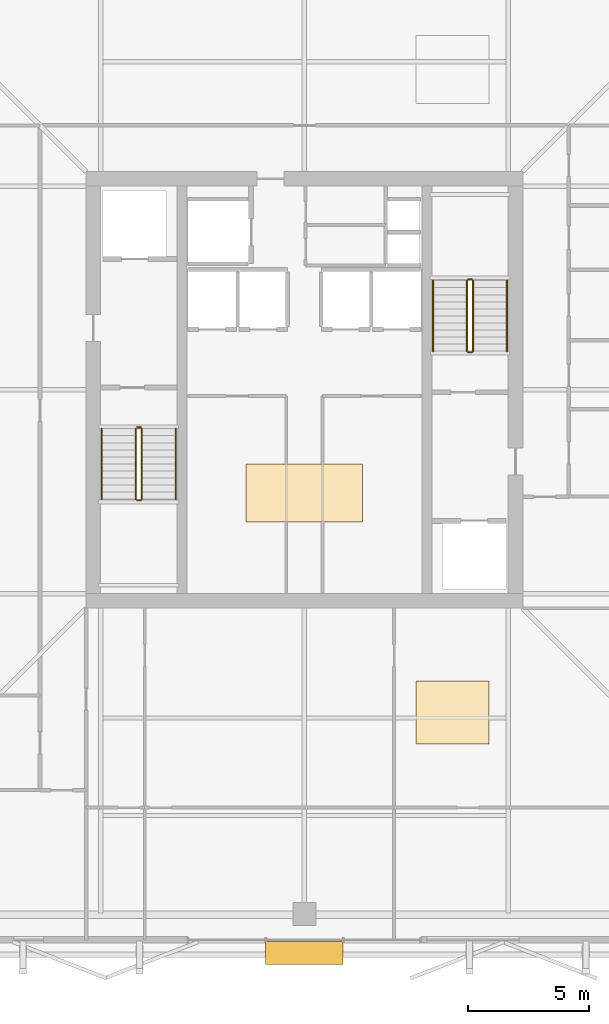
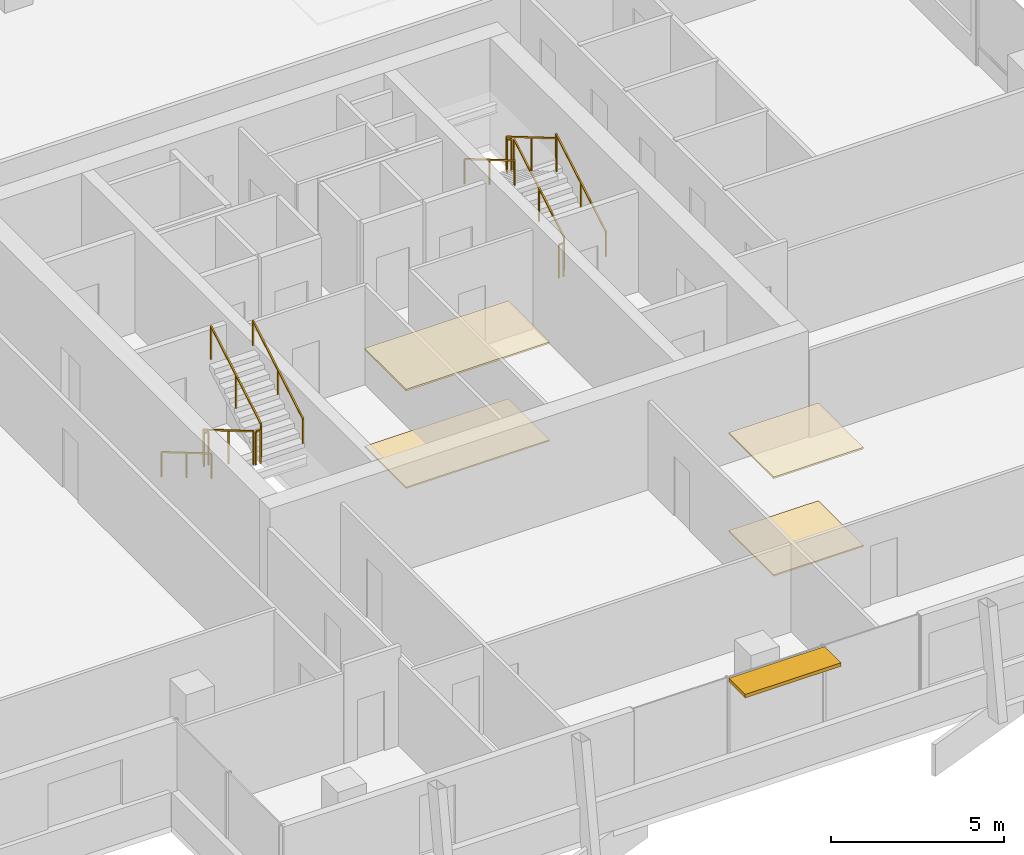
# One storey, part 25 of 26: 12 railings, 4 coverings, 1 shading device.
"""IFC4 building model written with IfcOpenShell, lengths in metres."""

from ifc_helpers import new_model, si_unit, direction, frame, origin, origin_2d, place, context, subcontext, project, spatial, polyline, rectangle, outline, extrude, material, layer, layer_set, type_object, element, save


model = new_model("IFC4")

# Units and contexts
model_context = context("Model", 3, precision=1e-05, world=origin(), true_north=direction((0.0, 1.0)))
body_context = subcontext(model_context, "Body", "Model", "MODEL_VIEW")
ifc_project = project(units=[si_unit("LENGTHUNIT", "METRE"), si_unit("AREAUNIT", "SQUARE_METRE"), si_unit("VOLUMEUNIT", "CUBIC_METRE"), si_unit("PLANEANGLEUNIT", "RADIAN"), si_unit("MASSUNIT", "GRAM", prefix="KILO")], contexts=[model_context])

# Site, building, storey
site_placement = place(None, origin())
site = spatial("IfcSite", under=ifc_project, at=site_placement, CompositionType="ELEMENT")
building_placement = place(site_placement, origin())
building = spatial("IfcBuilding", under=site, at=building_placement, Name="Belovzor Exchange Tower", CompositionType="ELEMENT")
storey_placement = place(building_placement, frame((0.0, 0.0, 295.5)))
storey = spatial("IfcBuildingStorey", under=building, at=storey_placement, Name="L73", CompositionType="ELEMENT", Elevation=295.5)

# Railings
ifc_material_1 = material(Name="Stainless Steel Grade 304", Category="steel")
railing_type_1 = type_object("IfcRailingType", Name="Brushed Stainless Steel Stair Handrail 900", PredefinedType="HANDRAIL", material=ifc_material_1)
railing_1_placement = place(storey_placement, frame((20.449951171875, 27.199951171875, 0.17041015625)))
element("IfcRailing", 1, at=railing_1_placement, inside=storey, type_object=railing_type_1, Name="L73 ST-1 stair handrail 1", PredefinedType="HANDRAIL", context=body_context, shape_type="SweptSolid", body=[
    extrude(rectangle(XDim=0.048095703125, YDim=0.048095703125, at=origin_2d()), frame((0.0, 0.0, 0.8759765625), z_axis=(0.0, -0.86209462966, 0.506747323142), x_axis=(1.0, 0.0, 0.0)), (0.0, 0.0, 1.0), 3.36376953125),
    extrude(rectangle(XDim=0.0419921875, YDim=0.0419921875, at=origin_2d()), origin(), (0.0, 0.0, 1.0), 0.851806640625),
    extrude(rectangle(XDim=0.0419921875, YDim=0.0419921875, at=origin_2d()), frame((0.0, -1.449951171875, 0.852294921875)), (0.0, 0.0, 1.0), 0.851806640625),
    extrude(rectangle(XDim=0.0419921875, YDim=0.0419921875, at=origin_2d()), frame((0.0, -2.89990234375, 1.70458984375)), (0.0, 0.0, 1.0), 0.851806640625),
])
railing_2_placement = place(storey_placement, frame((23.5, 24.300048828125, 2.04541015625)))
element("IfcRailing", 2, at=railing_2_placement, inside=storey, type_object=railing_type_1, Name="L73 ST-1 stair handrail 2", PredefinedType="HANDRAIL", context=body_context, shape_type="SweptSolid", body=[
    extrude(rectangle(XDim=0.048095703125, YDim=0.048095703125, at=origin_2d()), frame((0.0, 0.0, 0.8759765625), z_axis=(0.0, 0.86209462966, 0.506747323142), x_axis=(-1.0, 0.0, 0.0)), (0.0, 0.0, 1.0), 3.36376953125),
    extrude(rectangle(XDim=0.0419921875, YDim=0.0419921875, at=origin_2d()), origin(), (0.0, 0.0, 1.0), 0.851806640625),
    extrude(rectangle(XDim=0.0419921875, YDim=0.0419921875, at=origin_2d()), frame((0.0, 1.449951171875, 0.852294921875)), (0.0, 0.0, 1.0), 0.851806640625),
    extrude(rectangle(XDim=0.0419921875, YDim=0.0419921875, at=origin_2d()), frame((0.0, 2.89990234375, 1.70458984375)), (0.0, 0.0, 1.0), 0.851806640625),
])
railing_3_placement = place(storey_placement, frame((37.14990234375, 30.39990234375, 0.17041015625)))
element("IfcRailing", 3, at=railing_3_placement, inside=storey, type_object=railing_type_1, Name="L73 ST-2 stair handrail 1", PredefinedType="HANDRAIL", context=body_context, shape_type="SweptSolid", body=[
    extrude(rectangle(XDim=0.048095703125, YDim=0.048095703125, at=origin_2d()), frame((0.0, 0.0, 0.8759765625), z_axis=(0.0, 0.862113265706, 0.506715617574), x_axis=(-1.0, 0.0, 0.0)), (0.0, 0.0, 1.0), 3.364013671875),
    extrude(rectangle(XDim=0.0419921875, YDim=0.0419921875, at=origin_2d()), origin(), (0.0, 0.0, 1.0), 0.851806640625),
    extrude(rectangle(XDim=0.0419921875, YDim=0.0419921875, at=origin_2d()), frame((0.0, 1.4501953125, 0.852294921875)), (0.0, 0.0, 1.0), 0.851806640625),
    extrude(rectangle(XDim=0.0419921875, YDim=0.0419921875, at=origin_2d()), frame((0.0, 2.900146484375, 1.70458984375)), (0.0, 0.0, 1.0), 0.851806640625),
])
railing_4_placement = place(storey_placement, frame((34.10009765625, 33.300048828125, 2.04541015625)))
element("IfcRailing", 4, at=railing_4_placement, inside=storey, type_object=railing_type_1, Name="L73 ST-2 stair handrail 2", PredefinedType="HANDRAIL", context=body_context, shape_type="SweptSolid", body=[
    extrude(rectangle(XDim=0.048095703125, YDim=0.048095703125, at=origin_2d()), frame((0.0, 0.0, 0.8759765625), z_axis=(0.0, -0.862113265706, 0.506715617574), x_axis=(1.0, 0.0, 0.0)), (0.0, 0.0, 1.0), 3.364013671875),
    extrude(rectangle(XDim=0.0419921875, YDim=0.0419921875, at=origin_2d()), origin(), (0.0, 0.0, 1.0), 0.851806640625),
    extrude(rectangle(XDim=0.0419921875, YDim=0.0419921875, at=origin_2d()), frame((0.0, -1.4501953125, 0.852294921875)), (0.0, 0.0, 1.0), 0.851806640625),
    extrude(rectangle(XDim=0.0419921875, YDim=0.0419921875, at=origin_2d()), frame((0.0, -2.900146484375, 1.70458984375)), (0.0, 0.0, 1.0), 0.851806640625),
])
ifc_material_2 = material(Name="Steel S355", Category="steel")
railing_type_2 = type_object("IfcRailingType", Name="Painted Steel Stairwell Guardrail 1200", PredefinedType="GUARDRAIL", material=ifc_material_2)
railing_5_placement = place(storey_placement, frame((21.85009765625, 27.199951171875, 0.17041015625)))
element("IfcRailing", 5, at=railing_5_placement, inside=storey, type_object=railing_type_2, Name="L73 ST-1 stair guard 1", PredefinedType="GUARDRAIL", context=body_context, shape_type="SweptSolid", body=[
    extrude(rectangle(XDim=0.048095703125, YDim=0.048095703125, at=origin_2d()), frame((0.0, 0.0, 1.17578125), z_axis=(0.0, -0.86209462966, 0.506747323142), x_axis=(1.0, 0.0, 0.0)), (0.0, 0.0, 1.0), 3.36376953125),
    extrude(rectangle(XDim=0.0419921875, YDim=0.0419921875, at=origin_2d()), origin(), (0.0, 0.0, 1.0), 1.15185546875),
    extrude(rectangle(XDim=0.0419921875, YDim=0.0419921875, at=origin_2d()), frame((0.0, -1.449951171875, 0.852294921875)), (0.0, 0.0, 1.0), 1.15185546875),
    extrude(rectangle(XDim=0.0419921875, YDim=0.0419921875, at=origin_2d()), frame((0.0, -2.89990234375, 1.70458984375)), (0.0, 0.0, 1.0), 1.15185546875),
])
railing_6_placement = place(storey_placement, frame((21.89990234375, 24.25, 1.875)))
element("IfcRailing", 6, at=railing_6_placement, inside=storey, type_object=railing_type_2, Name="L73 ST-1 stair guard 2", PredefinedType="GUARDRAIL", context=body_context, shape_type="SweptSolid", body=[
    extrude(rectangle(XDim=0.048095703125, YDim=0.048095703125, at=origin_2d()), frame((0.0, 0.0, 1.17578125), z_axis=(1.0, 0.0, 0.0), x_axis=(0.0, 1.0, 0.0)), (0.0, 0.0, 1.0), 0.150146484375),
    extrude(rectangle(XDim=0.0419921875, YDim=0.0419921875, at=origin_2d()), origin(), (0.0, 0.0, 1.0), 1.15185546875),
    extrude(rectangle(XDim=0.0419921875, YDim=0.0419921875, at=origin_2d()), frame((0.150146484375, 0.0, 0.0)), (0.0, 0.0, 1.0), 1.15185546875),
])
railing_7_placement = place(storey_placement, frame((22.10009765625, 24.300048828125, 2.04541015625)))
element("IfcRailing", 7, at=railing_7_placement, inside=storey, type_object=railing_type_2, Name="L73 ST-1 stair guard 3", PredefinedType="GUARDRAIL", context=body_context, shape_type="SweptSolid", body=[
    extrude(rectangle(XDim=0.048095703125, YDim=0.048095703125, at=origin_2d()), frame((0.0, 0.0, 1.17578125), z_axis=(0.0, 0.86209462966, 0.506747323142), x_axis=(-1.0, 0.0, 0.0)), (0.0, 0.0, 1.0), 3.36376953125),
    extrude(rectangle(XDim=0.0419921875, YDim=0.0419921875, at=origin_2d()), origin(), (0.0, 0.0, 1.0), 1.15185546875),
    extrude(rectangle(XDim=0.0419921875, YDim=0.0419921875, at=origin_2d()), frame((0.0, 1.449951171875, 0.852294921875)), (0.0, 0.0, 1.0), 1.15185546875),
    extrude(rectangle(XDim=0.0419921875, YDim=0.0419921875, at=origin_2d()), frame((0.0, 2.89990234375, 1.70458984375)), (0.0, 0.0, 1.0), 1.15185546875),
])
railing_8_placement = place(storey_placement, frame((21.89990234375, 27.25, 0.0)))
element("IfcRailing", 8, at=railing_8_placement, inside=storey, type_object=railing_type_2, Name="L73 ST-1 stair guard 4", PredefinedType="GUARDRAIL", context=body_context, shape_type="SweptSolid", body=[
    extrude(rectangle(XDim=0.048095703125, YDim=0.048095703125, at=origin_2d()), frame((0.0, 0.0, 1.17578125), z_axis=(1.0, 0.0, 0.0), x_axis=(0.0, 1.0, 0.0)), (0.0, 0.0, 1.0), 0.150146484375),
    extrude(rectangle(XDim=0.0419921875, YDim=0.0419921875, at=origin_2d()), origin(), (0.0, 0.0, 1.0), 1.15185546875),
    extrude(rectangle(XDim=0.0419921875, YDim=0.0419921875, at=origin_2d()), frame((0.150146484375, 0.0, 0.0)), (0.0, 0.0, 1.0), 1.15185546875),
])
railing_9_placement = place(storey_placement, frame((35.75, 30.39990234375, 0.17041015625)))
element("IfcRailing", 9, at=railing_9_placement, inside=storey, type_object=railing_type_2, Name="L73 ST-2 stair guard 1", PredefinedType="GUARDRAIL", context=body_context, shape_type="SweptSolid", body=[
    extrude(rectangle(XDim=0.048095703125, YDim=0.048095703125, at=origin_2d()), frame((0.0, 0.0, 1.17578125), z_axis=(0.0, 0.862113265706, 0.506715617574), x_axis=(-1.0, 0.0, 0.0)), (0.0, 0.0, 1.0), 3.364013671875),
    extrude(rectangle(XDim=0.0419921875, YDim=0.0419921875, at=origin_2d()), origin(), (0.0, 0.0, 1.0), 1.15185546875),
    extrude(rectangle(XDim=0.0419921875, YDim=0.0419921875, at=origin_2d()), frame((0.0, 1.4501953125, 0.852294921875)), (0.0, 0.0, 1.0), 1.15185546875),
    extrude(rectangle(XDim=0.0419921875, YDim=0.0419921875, at=origin_2d()), frame((0.0, 2.900146484375, 1.70458984375)), (0.0, 0.0, 1.0), 1.15185546875),
])
railing_10_placement = place(storey_placement, frame((35.699951171875, 33.35009765625, 1.875)))
element("IfcRailing", 10, at=railing_10_placement, inside=storey, type_object=railing_type_2, Name="L73 ST-2 stair guard 2", PredefinedType="GUARDRAIL", context=body_context, shape_type="SweptSolid", body=[
    extrude(rectangle(XDim=0.048095703125, YDim=0.048095703125, at=origin_2d()), frame((0.0, 0.0, 1.17578125), z_axis=(-1.0, 0.0, 0.0), x_axis=(0.0, -1.0, 0.0)), (0.0, 0.0, 1.0), 0.14990234375),
    extrude(rectangle(XDim=0.0419921875, YDim=0.0419921875, at=origin_2d()), origin(), (0.0, 0.0, 1.0), 1.15185546875),
    extrude(rectangle(XDim=0.0419921875, YDim=0.0419921875, at=origin_2d()), frame((-0.14990234375, 0.0, 0.0)), (0.0, 0.0, 1.0), 1.15185546875),
])
railing_11_placement = place(storey_placement, frame((35.5, 33.300048828125, 2.04541015625)))
element("IfcRailing", 11, at=railing_11_placement, inside=storey, type_object=railing_type_2, Name="L73 ST-2 stair guard 3", PredefinedType="GUARDRAIL", context=body_context, shape_type="SweptSolid", body=[
    extrude(rectangle(XDim=0.048095703125, YDim=0.048095703125, at=origin_2d()), frame((0.0, 0.0, 1.17578125), z_axis=(0.0, -0.862113265706, 0.506715617574), x_axis=(1.0, 0.0, 0.0)), (0.0, 0.0, 1.0), 3.364013671875),
    extrude(rectangle(XDim=0.0419921875, YDim=0.0419921875, at=origin_2d()), origin(), (0.0, 0.0, 1.0), 1.15185546875),
    extrude(rectangle(XDim=0.0419921875, YDim=0.0419921875, at=origin_2d()), frame((0.0, -1.4501953125, 0.852294921875)), (0.0, 0.0, 1.0), 1.15185546875),
    extrude(rectangle(XDim=0.0419921875, YDim=0.0419921875, at=origin_2d()), frame((0.0, -2.900146484375, 1.70458984375)), (0.0, 0.0, 1.0), 1.15185546875),
])
railing_12_placement = place(storey_placement, frame((35.699951171875, 30.35009765625, 0.0)))
element("IfcRailing", 12, at=railing_12_placement, inside=storey, type_object=railing_type_2, Name="L73 ST-2 stair guard 4", PredefinedType="GUARDRAIL", context=body_context, shape_type="SweptSolid", body=[
    extrude(rectangle(XDim=0.048095703125, YDim=0.048095703125, at=origin_2d()), frame((0.0, 0.0, 1.17578125), z_axis=(-1.0, 0.0, 0.0), x_axis=(0.0, -1.0, 0.0)), (0.0, 0.0, 1.0), 0.14990234375),
    extrude(rectangle(XDim=0.0419921875, YDim=0.0419921875, at=origin_2d()), origin(), (0.0, 0.0, 1.0), 1.15185546875),
    extrude(rectangle(XDim=0.0419921875, YDim=0.0419921875, at=origin_2d()), frame((-0.14990234375, 0.0, 0.0)), (0.0, 0.0, 1.0), 1.15185546875),
])

# Coverings
ifc_material_3 = material(Name="Perforated Powder-Coated Aluminium", Category="aluminium")
ifc_layer_1 = layer(ifc_material_3, 0.06005859375)
ifc_layer_set_1 = layer_set([ifc_layer_1], Name="Perforated Powder-Coated Aluminium")
covering_type_1 = type_object("IfcCoveringType", Name="Perforated Acoustic Metal Tile Suspended Ceiling 60", PredefinedType="CEILING", material=ifc_layer_set_1)
covering_1_placement = place(storey_placement, frame((0.0, 0.0, 3.449951171875)))
element("IfcCovering", 13, at=covering_1_placement, inside=storey, type_object=covering_type_1, Name="CLG-AC60 Suspended Ceiling CLG-L73-LOB", PredefinedType="CEILING", context=body_context, shape_type="SweptSolid", body=[
    extrude(outline(polyline([(26.39990234375, 23.35009765625), (31.199951171875, 23.35009765625), (31.199951171875, 25.75), (26.39990234375, 25.75), (26.39990234375, 23.35009765625)])), origin(), (0.0, 0.0, 1.0), 0.06005859375),
])
covering_2_placement = place(storey_placement, frame((0.0, 0.0, 3.449951171875)))
element("IfcCovering", 14, at=covering_2_placement, inside=storey, type_object=covering_type_1, Name="CLG-AC60 Suspended Ceiling CLG-L73-Z1", PredefinedType="CEILING", context=body_context, shape_type="SweptSolid", body=[
    extrude(outline(polyline([(33.39990234375, 14.199951171875), (36.39990234375, 14.199951171875), (36.39990234375, 16.800048828125), (33.39990234375, 16.800048828125), (33.39990234375, 14.199951171875)])), origin(), (0.0, 0.0, 1.0), 0.06005859375),
])
ifc_material_4 = material(Name="Polished Natural Granite Tile", Category="masonry")
ifc_layer_2 = layer(ifc_material_4, 0.050048828125)
ifc_layer_set_2 = layer_set([ifc_layer_2], Name="Polished Natural Granite Tile")
covering_type_2 = type_object("IfcCoveringType", Name="Polished Karelian Granite & Raised Access Floor Finish 50", PredefinedType="FLOORING", material=ifc_layer_set_2)
covering_3_placement = place(storey_placement, origin())
element("IfcCovering", 15, at=covering_3_placement, inside=storey, type_object=covering_type_2, Name="FLR-GR50 Floor Finish FLR-L73-LOB", PredefinedType="FLOORING", context=body_context, shape_type="SweptSolid", body=[
    extrude(outline(polyline([(26.39990234375, 23.35009765625), (31.199951171875, 23.35009765625), (31.199951171875, 25.75), (26.39990234375, 25.75), (26.39990234375, 23.35009765625)])), origin(), (0.0, 0.0, 1.0), 0.050048828125),
])
covering_4_placement = place(storey_placement, origin())
element("IfcCovering", 16, at=covering_4_placement, inside=storey, type_object=covering_type_2, Name="FLR-GR50 Floor Finish FLR-L73-Z1", PredefinedType="FLOORING", context=body_context, shape_type="SweptSolid", body=[
    extrude(outline(polyline([(33.39990234375, 14.199951171875), (36.39990234375, 14.199951171875), (36.39990234375, 16.800048828125), (33.39990234375, 16.800048828125), (33.39990234375, 14.199951171875)])), origin(), (0.0, 0.0, 1.0), 0.050048828125),
])

# Shading device
ifc_material_5 = material(Name="Extruded Architectural Terracotta", Category="masonry")
ifc_layer_3 = layer(ifc_material_5, 0.1201171875)
ifc_layer_set_3 = layer_set([ifc_layer_3], Name="Extruded Architectural Terracotta")
shading_device_type = type_object("IfcShadingDeviceType", Name="Streamline Terracotta Horizontal Sunshade Hood 950", PredefinedType="AWNING", material=ifc_layer_set_3)
shading_device_placement = place(storey_placement, frame((28.800048828125, 5.5849609375, 3.389892578125), z_axis=(0.0, 0.0, 1.0), x_axis=(1.0, 0.0, 0.0)))
element("IfcShadingDevice", 17, at=shading_device_placement, inside=storey, type_object=shading_device_type, Name="SHD-TC095 Terracotta Sunshade L73 S", PredefinedType="AWNING", context=body_context, shape_type="SweptSolid", body=[
    extrude(rectangle(XDim=3.199951171875, YDim=0.949951171875, at=origin_2d()), origin(), (0.0, 0.0, 1.0), 0.1201171875),
])

save(model, "model.ifc")
